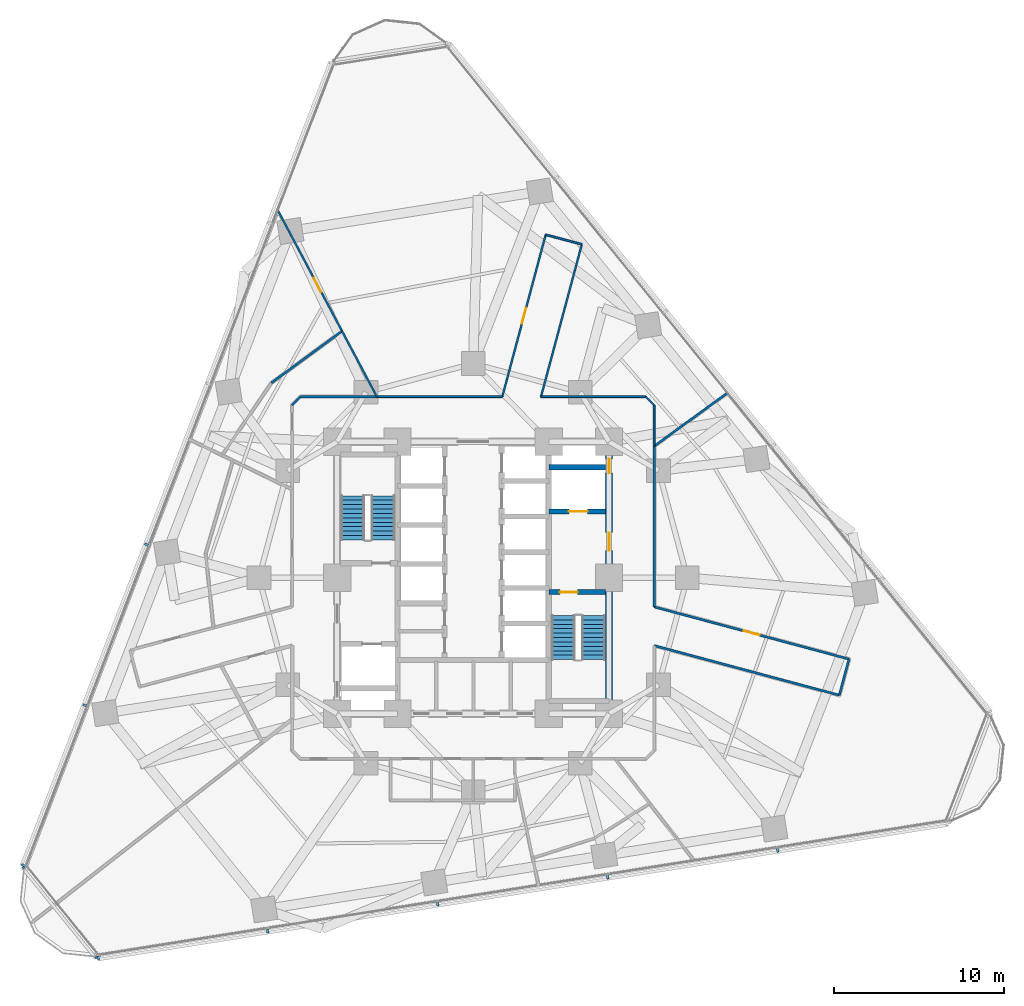
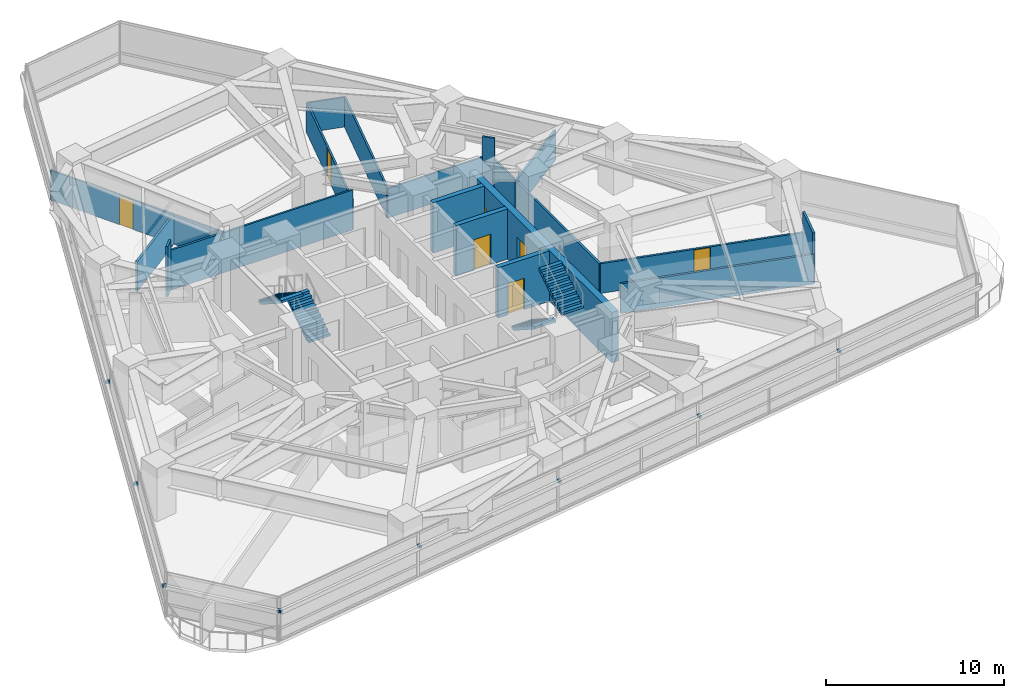
# One storey, part 9 of 13: 21 walls, 10 discrete accessories, 7 doors, 4 stair flights, 7 openings, 2 elements without a shape of their own.
"""IFC4 building model written with IfcOpenShell, lengths in metres."""

from ifc_helpers import new_model, si_unit, direction, frame, frame_2d, origin, origin_2d, place, context, subcontext, project, spatial, polyline, rectangle, outline, extrude, material, layer, layer_set, type_object, element, fill, aggregate, save


model = new_model("IFC4")

# Units and contexts
model_context = context("Model", 3, precision=1e-05, world=origin(), true_north=direction((0.0, 1.0)))
body_context = subcontext(model_context, "Body", "Model", "MODEL_VIEW")
ifc_project = project(units=[si_unit("LENGTHUNIT", "METRE"), si_unit("AREAUNIT", "SQUARE_METRE"), si_unit("VOLUMEUNIT", "CUBIC_METRE"), si_unit("PLANEANGLEUNIT", "RADIAN"), si_unit("MASSUNIT", "GRAM", prefix="KILO")], contexts=[model_context])

# Site, building, storey
site_placement = place(None, origin())
site = spatial("IfcSite", under=ifc_project, at=site_placement, CompositionType="ELEMENT")
building_placement = place(site_placement, origin())
building = spatial("IfcBuilding", under=site, at=building_placement, Name="Terralouvre Media Tower", CompositionType="ELEMENT")
storey_placement = place(building_placement, frame((0.0, 0.0, 81.5)))
storey = spatial("IfcBuildingStorey", under=building, at=storey_placement, Name="L20", CompositionType="ELEMENT", Elevation=81.5)

# Wall, opening, door
ifc_material_1 = material(Name="Concrete C50/60", Category="concrete")
ifc_layer_1 = layer(ifc_material_1, 0.300048828125, Name="Core Internal Shaft Wall CW-300")
ifc_layer_set_1 = layer_set([ifc_layer_1], Name="Concrete C50/60")
wall_type_1 = type_object("IfcWallType", Name="Core Internal Shaft Wall CW-300", PredefinedType="SHEAR", material=ifc_layer_set_1)
wall_1_placement = place(storey_placement, frame((4.449951171875, -0.85009765625, 0.0), z_axis=(0.0, 0.0, 1.0), x_axis=(1.0, 0.0, 0.0)))
wall_1 = element("IfcWall", 1, at=wall_1_placement, inside=storey, type_object=wall_type_1, Name="L20 Core Shaft Wall ST2D", PredefinedType="SHEAR", context=body_context, shape_type="SweptSolid", body=[
    extrude(rectangle(XDim=3.340087890625, YDim=0.300048828125, at=frame_2d((1.669921875, 0.0))), origin(), (0.0, 0.0, 1.0), 3.4599609375),
])
opening_1_placement = place(wall_1_placement, frame((0.64990234375, 0.0, 0.0)))
opening_1 = element("IfcOpeningElement", 2, at=opening_1_placement, cuts=wall_1, Name="Opening FD-01-105X215", PredefinedType="OPENING", context=body_context, shape_type="SweptSolid", body=[
    extrude(rectangle(XDim=1.050048828125, YDim=2.14990234375, at=frame_2d((0.52490234375, 1.074951171875))), frame((0.0, 0.159912109375, 0.0), z_axis=(0.0, -1.0, 0.0), x_axis=(1.0, 0.0, 0.0)), (0.0, 0.0, 1.0), 0.320068359375),
])
ifc_material_2 = material(Name="Galvanised steel fire-resisting leaf", Category="steel")
door_type_1 = type_object("IfcDoorType", Name="Stair and Firefighting Lobby Fire Door FD-01 (1050x2150)", OperationType="NOTDEFINED", PredefinedType="DOOR", material=ifc_material_2)
door_1_placement = place(opening_1_placement, origin())
door_1 = element("IfcDoor", 3, at=door_1_placement, inside=storey, type_object=door_type_1, Name="L20 ST-02 Exit Stair Door", OperationType="SINGLE_SWING_RIGHT", OverallHeight=2.14990234375, OverallWidth=1.050048828125, PredefinedType="DOOR", context=body_context, shape_type="SweptSolid", body=[
    extrude(rectangle(XDim=1.050048828125, YDim=2.14990234375, at=frame_2d((0.52490234375, 1.074951171875))), frame((0.0, 0.02490234375, 0.0), z_axis=(0.0, -1.0, 0.0), x_axis=(1.0, 0.0, 0.0)), (0.0, 0.0, 1.0), 0.050048828125),
])
fill(opening_1, door_1)

wall_2_placement = place(storey_placement, frame((4.449951171875, 3.89990234375, 0.0), z_axis=(0.0, 0.0, 1.0), x_axis=(1.0, 0.0, 0.0)))
wall_2 = element("IfcWall", 4, at=wall_2_placement, inside=storey, type_object=wall_type_1, Name="L20 Core Shaft Wall FF2S", PredefinedType="SHEAR", context=body_context, shape_type="SweptSolid", body=[
    extrude(rectangle(XDim=3.340087890625, YDim=0.300048828125, at=frame_2d((1.669921875, 0.0))), origin(), (0.0, 0.0, 1.0), 3.4599609375),
])
opening_2_placement = place(wall_2_placement, frame((1.179931640625, 0.0, 0.0)))
opening_2 = element("IfcOpeningElement", 5, at=opening_2_placement, cuts=wall_2, Name="Opening LD-FF", PredefinedType="OPENING", context=body_context, shape_type="SweptSolid", body=[
    extrude(rectangle(XDim=1.10009765625, YDim=2.10009765625, at=frame_2d((0.550048828125, 1.050048828125))), frame((0.0, 0.159912109375, 0.0), z_axis=(0.0, -1.0, 0.0), x_axis=(1.0, 0.0, 0.0)), (0.0, 0.0, 1.0), 0.320068359375),
])
ifc_material_3 = material(Name="Stainless steel 316 handrail and balustrade", Category="steel")
door_type_2 = type_object("IfcDoorType", Name="Firefighting Lift Sliding Landing Door LD-FF", OperationType="SLIDING_TO_LEFT", PredefinedType="DOOR", material=ifc_material_3)
door_2_placement = place(opening_2_placement, origin())
door_2 = element("IfcDoor", 6, at=door_2_placement, inside=storey, type_object=door_type_2, Name="L20 Firefighting Lift FFL-02 Landing Door", OperationType="SLIDING_TO_LEFT", OverallHeight=2.10009765625, OverallWidth=1.10009765625, PredefinedType="DOOR", context=body_context, shape_type="SweptSolid", body=[
    extrude(rectangle(XDim=1.10009765625, YDim=2.10009765625, at=frame_2d((0.550048828125, 1.050048828125))), frame((0.0, 0.02490234375, 0.0), z_axis=(0.0, -1.0, 0.0), x_axis=(1.0, 0.0, 0.0)), (0.0, 0.0, 1.0), 0.050048828125),
])
fill(opening_2, door_2)

# Wall
wall_3_placement = place(storey_placement, frame((4.449951171875, 6.5, 0.0), z_axis=(0.0, 0.0, 1.0), x_axis=(1.0, 0.0, 0.0)))
element("IfcWall", 7, at=wall_3_placement, inside=storey, type_object=wall_type_1, Name="L20 Core Shaft Wall FF2N", PredefinedType="SHEAR", context=body_context, shape_type="SweptSolid", body=[
    extrude(rectangle(XDim=3.340087890625, YDim=0.300048828125, at=frame_2d((1.669921875, 0.0))), origin(), (0.0, 0.0, 1.0), 3.4599609375),
])

# Wall, openings, doors
ifc_material_4 = material(Name="Concrete C60/75", Category="concrete")
ifc_layer_2 = layer(ifc_material_4, 0.419921875, Name="Core Reinforced Concrete Shear Wall CW-420")
ifc_layer_set_2 = layer_set([ifc_layer_2], Name="Concrete C60/75")
wall_type_2 = type_object("IfcWallType", Name="Core Reinforced Concrete Shear Wall CW-420", PredefinedType="SHEAR", material=ifc_layer_set_2)
wall_4_placement = place(storey_placement, frame((8.0, -8.0, 0.0), z_axis=(0.0, 0.0, 1.0), x_axis=(0.0, 1.0, 0.0)))
wall_4 = element("IfcWall", 8, at=wall_4_placement, inside=storey, type_object=wall_type_2, Name="L20 E Core Shear Wall", PredefinedType="SHEAR", context=body_context, shape_type="SweptSolid", body=[
    extrude(rectangle(XDim=16.0, YDim=0.419921875, at=frame_2d((8.0, 0.0))), origin(), (0.0, 0.0, 1.0), 3.4599609375),
])
opening_3_placement = place(wall_4_placement, frame((9.60009765625, 0.0, 0.0)))
opening_3 = element("IfcOpeningElement", 9, at=opening_3_placement, cuts=wall_4, Name="Opening FD-01-105X215", PredefinedType="OPENING", context=body_context, shape_type="SweptSolid", body=[
    extrude(rectangle(XDim=1.050048828125, YDim=2.14990234375, at=frame_2d((0.52490234375, 1.074951171875))), frame((0.0, 0.219970703125, 0.0), z_axis=(0.0, -1.0, 0.0), x_axis=(1.0, 0.0, 0.0)), (0.0, 0.0, 1.0), 0.43994140625),
])
opening_4_placement = place(wall_4_placement, frame((14.148193359375, 0.0, 0.0)))
opening_4 = element("IfcOpeningElement", 10, at=opening_4_placement, cuts=wall_4, Name="Opening TD-R1", PredefinedType="OPENING", context=body_context, shape_type="SweptSolid", body=[
    extrude(rectangle(XDim=0.85009765625, YDim=2.02001953125, at=frame_2d((0.425048828125, 1.010009765625))), frame((0.0, 0.219970703125, 0.0), z_axis=(0.0, -1.0, 0.0), x_axis=(1.0, 0.0, 0.0)), (0.0, 0.0, 1.0), 0.43994140625),
])
ifc_material_5 = material(Name="Galvanised steel fire-resisting leaf", Category="steel")
door_type_3 = type_object("IfcDoorType", Name="Riser Inspection Access Trapdoor TD-R1", OperationType="NOTDEFINED", PredefinedType="TRAPDOOR", material=ifc_material_5)
door_3_placement = place(opening_4_placement, origin())
door_3 = element("IfcDoor", 11, at=door_3_placement, inside=storey, type_object=door_type_3, Name="L20 East Comms Riser Access Trapdoor", OperationType="SINGLE_SWING_RIGHT", OverallHeight=2.02001953125, OverallWidth=0.85009765625, PredefinedType="TRAPDOOR", context=body_context, shape_type="SweptSolid", body=[
    extrude(rectangle(XDim=0.85009765625, YDim=2.02001953125, at=frame_2d((0.425048828125, 1.010009765625))), frame((0.0, 0.02490234375, 0.0), z_axis=(0.0, -1.0, 0.0), x_axis=(1.0, 0.0, 0.0)), (0.0, 0.0, 1.0), 0.050048828125),
])
fill(opening_4, door_3)
door_4_placement = place(opening_3_placement, origin())
door_4 = element("IfcDoor", 12, at=door_4_placement, inside=storey, type_object=door_type_1, Name="L20 East Firefighting Lobby Entry Door", OperationType="SINGLE_SWING_LEFT", OverallHeight=2.14990234375, OverallWidth=1.050048828125, PredefinedType="DOOR", context=body_context, shape_type="SweptSolid", body=[
    extrude(rectangle(XDim=1.050048828125, YDim=2.14990234375, at=frame_2d((0.52490234375, 1.074951171875))), frame((0.0, 0.02490234375, 0.0), z_axis=(0.0, -1.0, 0.0), x_axis=(1.0, 0.0, 0.0)), (0.0, 0.0, 1.0), 0.050048828125),
])
fill(opening_3, door_4)

# Walls
ifc_material_6 = material(Name="Fire-rated gypsum board drywall partition")
ifc_layer_3 = layer(ifc_material_6, 0.135009765625, Name="Newsroom Acoustic Partition PT-135")
ifc_layer_set_3 = layer_set([ifc_layer_3], Name="Fire-rated gypsum board drywall partition")
wall_type_3 = type_object("IfcWallType", Name="Newsroom Acoustic Partition PT-135", PredefinedType="PARTITIONING", material=ifc_layer_set_3)
wall_5_placement = place(storey_placement, frame((10.64990234375, -3.991943359375, 0.0), z_axis=(0.0, 0.0, 1.0), x_axis=(0.965906888357, -0.258889712088, 0.0)))
element("IfcWall", 13, at=wall_5_placement, inside=storey, type_object=wall_type_3, Name="L20 Interior Partition 004", PredefinedType="PARTITIONING", context=body_context, shape_type="SweptSolid", body=[
    extrude(rectangle(XDim=11.279541015625, YDim=0.135009765625, at=frame_2d((5.6396484375, 0.0))), origin(), (0.0, 0.0, 1.0), 2.044921875),
])
wall_6_placement = place(storey_placement, frame((21.544921875, -6.912109375, 0.0), z_axis=(0.0, 0.0, 1.0), x_axis=(0.259105843213, 0.965848933329, 0.0)))
element("IfcWall", 14, at=wall_6_placement, inside=storey, type_object=wall_type_3, Name="L20 Interior Partition 005", PredefinedType="PARTITIONING", context=body_context, shape_type="SweptSolid", body=[
    extrude(rectangle(XDim=2.2001953125, YDim=0.135009765625, at=frame_2d((1.10009765625, 0.0))), origin(), (0.0, 0.0, 1.0), 3.4599609375),
])

# Wall, opening, door
wall_7_placement = place(storey_placement, frame((22.114990234375, -4.787109375, 0.0), z_axis=(0.0, 0.0, 1.0), x_axis=(-0.965926659449, 0.258815935688, 0.0)))
wall_7 = element("IfcWall", 15, at=wall_7_placement, inside=storey, type_object=wall_type_3, Name="L20 Interior Partition 006", PredefinedType="PARTITIONING", context=body_context, shape_type="SweptSolid", body=[
    extrude(rectangle(XDim=11.86962890625, YDim=0.135009765625, at=frame_2d((5.934814453125, 0.0))), origin(), (0.0, 0.0, 1.0), 2.044921875),
])
opening_5_placement = place(wall_7_placement, frame((5.459716796875, 0.0, 0.0)))
opening_5 = element("IfcOpeningElement", 16, at=opening_5_placement, cuts=wall_7, Name="Opening ID-02", PredefinedType="OPENING", context=body_context, shape_type="SweptSolid", body=[
    extrude(rectangle(XDim=0.949951171875, YDim=2.0, at=frame_2d((0.47509765625, 1.0))), frame((0.0, 0.077392578125, 0.0), z_axis=(0.0, -1.0, 0.0), x_axis=(1.0, 0.0, 0.0)), (0.0, 0.0, 1.0), 0.155029296875),
])
ifc_material_7 = material(Name="Engineered hardwood acoustic timber leaf", Category="wood")
door_type_4 = type_object("IfcDoorType", Name="Office and Meeting Room Door ID-02", OperationType="NOTDEFINED", PredefinedType="DOOR", material=ifc_material_7)
door_5_placement = place(opening_5_placement, origin())
door_5 = element("IfcDoor", 17, at=door_5_placement, inside=storey, type_object=door_type_4, Name="L20 Foreign Press Reading Study 1 Door", OperationType="SINGLE_SWING_RIGHT", OverallHeight=2.0, OverallWidth=0.949951171875, PredefinedType="DOOR", context=body_context, shape_type="SweptSolid", body=[
    extrude(rectangle(XDim=0.949951171875, YDim=2.0, at=frame_2d((0.47509765625, 1.0))), frame((0.0, 0.02490234375, 0.0), z_axis=(0.0, -1.0, 0.0), x_axis=(1.0, 0.0, 0.0)), (0.0, 0.0, 1.0), 0.050048828125),
])
fill(opening_5, door_5)

# Walls
wall_8_placement = place(storey_placement, frame((10.64990234375, -1.715087890625, 0.0), z_axis=(0.0, 0.0, 1.0), x_axis=(0.0, 1.0, 0.0)))
element("IfcWall", 18, at=wall_8_placement, inside=storey, type_object=wall_type_3, Name="L20 Interior Partition 007", PredefinedType="PARTITIONING", context=body_context, shape_type="SweptSolid", body=[
    extrude(rectangle(XDim=9.453125, YDim=0.135009765625, at=frame_2d((4.7265625, 0.0))), origin(), (0.0, 0.0, 1.0), 2.044921875),
])
wall_9_placement = place(storey_placement, frame((-5.6630859375, 10.64990234375, 0.0), z_axis=(0.0, 0.0, 1.0), x_axis=(-1.0, 0.0, 0.0)))
element("IfcWall", 19, at=wall_9_placement, inside=storey, type_object=wall_type_3, Name="L20 Interior Partition 029", PredefinedType="PARTITIONING", context=body_context, shape_type="SweptSolid", body=[
    extrude(rectangle(XDim=4.48681640625, YDim=0.135009765625, at=frame_2d((2.243408203125, 0.0))), origin(), (0.0, 0.0, 1.0), 2.7451171875),
])
wall_10_placement = place(storey_placement, frame((-10.14990234375, 10.64990234375, 0.0), z_axis=(0.0, 0.0, 1.0), x_axis=(-0.707106781187, -0.707106781187, 0.0)))
element("IfcWall", 20, at=wall_10_placement, inside=storey, type_object=wall_type_3, Name="L20 Interior Partition 030", PredefinedType="PARTITIONING", context=body_context, shape_type="SweptSolid", body=[
    extrude(rectangle(XDim=0.70703125, YDim=0.135009765625, at=frame_2d((0.353515625, 0.0))), origin(), (0.0, 0.0, 1.0), 3.4599609375),
])
wall_11_placement = place(storey_placement, frame((15.00244140625, 10.899658203125, 0.0), z_axis=(0.0, 0.0, 1.0), x_axis=(-0.809077419902, -0.587702074699, 0.0)))
element("IfcWall", 21, at=wall_11_placement, inside=storey, type_object=wall_type_3, Name="L20 Interior Partition 032", PredefinedType="PARTITIONING", context=body_context, shape_type="SweptSolid", body=[
    extrude(rectangle(XDim=5.379638671875, YDim=0.135009765625, at=frame_2d((2.68994140625, 0.0))), origin(), (0.0, 0.0, 1.0), 2.044921875),
])
wall_12_placement = place(storey_placement, frame((-11.868896484375, 11.4619140625, 0.0), z_axis=(0.0, 0.0, 1.0), x_axis=(0.806469774548, 0.5912753189, 0.0)))
element("IfcWall", 22, at=wall_12_placement, inside=storey, type_object=wall_type_3, Name="L20 Interior Partition 058", PredefinedType="PARTITIONING", context=body_context, shape_type="SweptSolid", body=[
    extrude(rectangle(XDim=5.15185546875, YDim=0.135009765625, at=frame_2d((2.575927734375, 0.0))), origin(), (0.0, 0.0, 1.0), 2.044921875),
])
ifc_material_8 = material(Name="Fire-rated gypsum board drywall partition")
ifc_layer_4 = layer(ifc_material_8, 0.114990234375, Name="Restroom and Pantry Partition PT-115")
ifc_layer_set_4 = layer_set([ifc_layer_4], Name="Fire-rated gypsum board drywall partition")
wall_type_4 = type_object("IfcWallType", Name="Restroom and Pantry Partition PT-115", PredefinedType="PARTITIONING", material=ifc_layer_set_4)
wall_13_placement = place(storey_placement, frame((10.64990234375, 7.738037109375, 0.0), z_axis=(0.0, 0.0, 1.0), x_axis=(0.0, 1.0, 0.0)))
element("IfcWall", 23, at=wall_13_placement, inside=storey, type_object=wall_type_4, Name="L20 Interior Partition 008", PredefinedType="PARTITIONING", context=body_context, shape_type="SweptSolid", body=[
    extrude(rectangle(XDim=2.411865234375, YDim=0.114990234375, at=frame_2d((1.2060546875, 0.0))), origin(), (0.0, 0.0, 1.0), 2.044921875),
])
wall_14_placement = place(storey_placement, frame((10.64990234375, 10.14990234375, 0.0), z_axis=(0.0, 0.0, 1.0), x_axis=(-0.707106781187, 0.707106781187, 0.0)))
element("IfcWall", 24, at=wall_14_placement, inside=storey, type_object=wall_type_4, Name="L20 Interior Partition 009", PredefinedType="PARTITIONING", context=body_context, shape_type="SweptSolid", body=[
    extrude(rectangle(XDim=0.70703125, YDim=0.114990234375, at=frame_2d((0.353515625, 0.0))), origin(), (0.0, 0.0, 1.0), 3.4599609375),
])
wall_15_placement = place(storey_placement, frame((10.14990234375, 10.64990234375, 0.0), z_axis=(0.0, 0.0, 1.0), x_axis=(-1.0, 0.0, 0.0)))
element("IfcWall", 25, at=wall_15_placement, inside=storey, type_object=wall_type_4, Name="L20 Interior Partition 010", PredefinedType="PARTITIONING", context=body_context, shape_type="SweptSolid", body=[
    extrude(rectangle(XDim=6.157958984375, YDim=0.114990234375, at=frame_2d((3.0791015625, 0.0))), origin(), (0.0, 0.0, 1.0), 2.044921875),
])
wall_16_placement = place(storey_placement, frame((3.991943359375, 10.64990234375, 0.0), z_axis=(0.0, 0.0, 1.0), x_axis=(0.258862771148, 0.96591410887, 0.0)))
element("IfcWall", 26, at=wall_16_placement, inside=storey, type_object=wall_type_4, Name="L20 Interior Partition 011", PredefinedType="PARTITIONING", context=body_context, shape_type="SweptSolid", body=[
    extrude(rectangle(XDim=9.279541015625, YDim=0.114990234375, at=frame_2d((4.6396484375, 0.0))), origin(), (0.0, 0.0, 1.0), 2.044921875),
])
wall_17_placement = place(storey_placement, frame((6.39404296875, 19.613037109375, 0.0), z_axis=(0.0, 0.0, 1.0), x_axis=(-0.965848933329, 0.259105843213, 0.0)))
element("IfcWall", 27, at=wall_17_placement, inside=storey, type_object=wall_type_4, Name="L20 Interior Partition 012", PredefinedType="PARTITIONING", context=body_context, shape_type="SweptSolid", body=[
    extrude(rectangle(XDim=2.2001953125, YDim=0.114990234375, at=frame_2d((1.10009765625, 0.0))), origin(), (0.0, 0.0, 1.0), 2.044921875),
])

# Wall, opening, door
wall_18_placement = place(storey_placement, frame((4.26904296875, 20.18310546875, 0.0), z_axis=(0.0, 0.0, 1.0), x_axis=(-0.258775652721, -0.965937452198, 0.0)))
wall_18 = element("IfcWall", 28, at=wall_18_placement, inside=storey, type_object=wall_type_4, Name="L20 Interior Partition 013", PredefinedType="PARTITIONING", context=body_context, shape_type="SweptSolid", body=[
    extrude(rectangle(XDim=9.869384765625, YDim=0.114990234375, at=frame_2d((4.9345703125, 0.0))), origin(), (0.0, 0.0, 1.0), 2.044921875),
])
opening_6_placement = place(wall_18_placement, frame((4.459716796875, 0.0, 0.0)))
opening_6 = element("IfcOpeningElement", 29, at=opening_6_placement, cuts=wall_18, Name="Opening SD-01", PredefinedType="OPENING", context=body_context, shape_type="SweptSolid", body=[
    extrude(rectangle(XDim=0.949951171875, YDim=2.0, at=frame_2d((0.47509765625, 1.0))), frame((0.0, 0.0673828125, 0.0), z_axis=(0.0, -1.0, 0.0), x_axis=(1.0, 0.0, 0.0)), (0.0, 0.0, 1.0), 0.135009765625),
])
ifc_material_9 = material(Name="Anodised extruded aluminium 6063-T6", Category="aluminium")
door_type_5 = type_object("IfcDoorType", Name="Pantry Pocket Sliding Door SD-01", OperationType="SLIDING_TO_LEFT", PredefinedType="DOOR", material=ifc_material_9)
door_6_placement = place(opening_6_placement, origin())
door_6 = element("IfcDoor", 30, at=door_6_placement, inside=storey, type_object=door_type_5, Name="L20 International Tea Servery 2 Door", OperationType="SLIDING_TO_LEFT", OverallHeight=2.0, OverallWidth=0.949951171875, PredefinedType="DOOR", context=body_context, shape_type="SweptSolid", body=[
    extrude(rectangle(XDim=0.949951171875, YDim=2.0, at=frame_2d((0.47509765625, 1.0))), frame((0.0, 0.02490234375, 0.0), z_axis=(0.0, -1.0, 0.0), x_axis=(1.0, 0.0, 0.0)), (0.0, 0.0, 1.0), 0.050048828125),
])
fill(opening_6, door_6)

# Wall
wall_19_placement = place(storey_placement, frame((1.715087890625, 10.64990234375, 0.0), z_axis=(0.0, 0.0, 1.0), x_axis=(-1.0, 0.0, 0.0)))
element("IfcWall", 31, at=wall_19_placement, inside=storey, type_object=wall_type_4, Name="L20 Interior Partition 014", PredefinedType="PARTITIONING", context=body_context, shape_type="SweptSolid", body=[
    extrude(rectangle(XDim=7.378173828125, YDim=0.114990234375, at=frame_2d((3.68896484375, 0.0))), origin(), (0.0, 0.0, 1.0), 2.7451171875),
])

# Wall, opening, door
wall_20_placement = place(storey_placement, frame((-11.519775390625, 21.66455078125, 0.0), z_axis=(0.0, 0.0, 1.0), x_axis=(0.469518559383, -0.88292260272, 0.0)))
wall_20 = element("IfcWall", 32, at=wall_20_placement, inside=storey, type_object=wall_type_4, Name="L20 Interior Partition 035", PredefinedType="PARTITIONING", context=body_context, shape_type="SweptSolid", body=[
    extrude(rectangle(XDim=8.10546875, YDim=0.114990234375, at=frame_2d((4.052734375, 0.0))), origin(), (0.0, 0.0, 1.0), 2.044921875),
])
opening_7_placement = place(wall_20_placement, frame((4.5654296875, 0.0, 0.0)))
opening_7 = element("IfcOpeningElement", 33, at=opening_7_placement, cuts=wall_20, Name="Opening ID-03", PredefinedType="OPENING", context=body_context, shape_type="SweptSolid", body=[
    extrude(rectangle(XDim=0.919921875, YDim=2.0, at=frame_2d((0.4599609375, 1.0))), frame((0.0, 0.0673828125, 0.0), z_axis=(0.0, -1.0, 0.0), x_axis=(1.0, 0.0, 0.0)), (0.0, 0.0, 1.0), 0.135009765625),
])
ifc_material_10 = material(Name="Engineered hardwood acoustic timber leaf", Category="wood")
door_type_6 = type_object("IfcDoorType", Name="Accessible Restroom and Suite Door ID-03", OperationType="NOTDEFINED", PredefinedType="DOOR", material=ifc_material_10)
door_7_placement = place(opening_7_placement, origin())
door_7 = element("IfcDoor", 34, at=door_7_placement, inside=storey, type_object=door_type_6, Name="L20 Overnight Crew Room 9 Door", OperationType="SINGLE_SWING_RIGHT", OverallHeight=2.0, OverallWidth=0.919921875, PredefinedType="DOOR", context=body_context, shape_type="SweptSolid", body=[
    extrude(rectangle(XDim=0.919921875, YDim=2.0, at=frame_2d((0.4599609375, 1.0))), frame((0.0, 0.02490234375, 0.0), z_axis=(0.0, -1.0, 0.0), x_axis=(1.0, 0.0, 0.0)), (0.0, 0.0, 1.0), 0.050048828125),
])
fill(opening_7, door_7)

# Wall
wall_21_placement = place(storey_placement, frame((-7.714111328125, 14.508056640625, 0.0), z_axis=(0.0, 0.0, 1.0), x_axis=(0.469401685306, -0.882984743827, 0.0)))
element("IfcWall", 35, at=wall_21_placement, inside=storey, type_object=wall_type_4, Name="L20 Interior Partition 036", PredefinedType="PARTITIONING", context=body_context, shape_type="SweptSolid", body=[
    extrude(rectangle(XDim=4.369384765625, YDim=0.114990234375, at=frame_2d((2.1845703125, 0.0))), origin(), (0.0, 0.0, 1.0), 2.044921875),
])

# Stair, stair flights
ifc_material_11 = material(Name="Concrete C45/55", Category="concrete")
stair_type_1 = type_object("IfcStairType", Name="Dogleg Stair Assembly ST-01", PredefinedType="HALF_TURN_STAIR", material=ifc_material_11)
stair_1_placement = place(storey_placement, origin())
stair_1 = element("IfcStair", 36, at=stair_1_placement, inside=storey, type_object=stair_type_1, Name="L20 Core Pressurised Exit Stair ST-01", PredefinedType="HALF_TURN_STAIR")
ifc_material_12 = material(Name="Concrete C45/55", Category="concrete")
stair_flight_type = type_object("IfcStairFlightType", Name="Reinforced Concrete Stair Flight SF-RC1", PredefinedType="STRAIGHT", material=ifc_material_12)
stair_flight_1_placement = place(storey_placement, frame((-5.300048828125, 2.219970703125, 0.0), z_axis=(0.0, 0.0, 1.0), x_axis=(0.0, 1.0, 0.0)))
stair_flight_1 = element("IfcStairFlight", 37, at=stair_flight_1_placement, type_object=stair_flight_type, Name="ST-01 flight 1", NumberOfRisers=11, NumberOfTreads=10, PredefinedType="STRAIGHT", RiserHeight=0.168181818, TreadLength=0.26, context=body_context, shape_type="SweptSolid", body=[
    extrude(outline(polyline([(0.0, 0.0), (0.0, 0.168212890625), (0.260009765625, 0.168212890625), (0.260009765625, 0.33642578125), (0.52001953125, 0.33642578125), (0.52001953125, 0.504638671875), (0.780029296875, 0.504638671875), (0.780029296875, 0.672607421875), (1.0400390625, 0.672607421875), (1.0400390625, 0.8408203125), (1.300048828125, 0.8408203125), (1.300048828125, 1.009033203125), (1.56005859375, 1.009033203125), (1.56005859375, 1.17724609375), (1.820068359375, 1.17724609375), (1.820068359375, 1.345458984375), (2.080078125, 1.345458984375), (2.080078125, 1.513671875), (2.340087890625, 1.513671875), (2.340087890625, 1.681884765625), (2.60009765625, 1.681884765625), (2.60009765625, 1.85009765625), (2.60009765625, 1.503173828125), (0.27587890625, 0.0), (0.0, 0.0)])), frame((0.0, 0.699951171875, 0.0), z_axis=(0.0, -1.0, 0.0), x_axis=(1.0, 0.0, 0.0)), (0.0, 0.0, 1.0), 1.39990234375),
])
stair_flight_2_placement = place(storey_placement, frame((-7.080078125, 4.820068359375, 1.85009765625), z_axis=(0.0, 0.0, 1.0), x_axis=(0.0, -1.0, 0.0)))
stair_flight_2 = element("IfcStairFlight", 38, at=stair_flight_2_placement, type_object=stair_flight_type, Name="ST-01 flight 2", NumberOfRisers=11, NumberOfTreads=10, PredefinedType="STRAIGHT", RiserHeight=0.168181818, TreadLength=0.26, context=body_context, shape_type="SweptSolid", body=[
    extrude(outline(polyline([(0.0, 0.0), (0.0, 0.168212890625), (0.260009765625, 0.168212890625), (0.260009765625, 0.33642578125), (0.52001953125, 0.33642578125), (0.52001953125, 0.504638671875), (0.780029296875, 0.504638671875), (0.780029296875, 0.672607421875), (1.0400390625, 0.672607421875), (1.0400390625, 0.8408203125), (1.300048828125, 0.8408203125), (1.300048828125, 1.009033203125), (1.56005859375, 1.009033203125), (1.56005859375, 1.17724609375), (1.820068359375, 1.17724609375), (1.820068359375, 1.345458984375), (2.080078125, 1.345458984375), (2.080078125, 1.513671875), (2.340087890625, 1.513671875), (2.340087890625, 1.681884765625), (2.60009765625, 1.681884765625), (2.60009765625, 1.85009765625), (2.60009765625, 1.503173828125), (0.27587890625, 0.0), (0.0, 0.0)])), frame((0.0, 0.699951171875, 0.0), z_axis=(0.0, -1.0, 0.0), x_axis=(1.0, 0.0, 0.0)), (0.0, 0.0, 1.0), 1.39990234375),
])
aggregate(stair_1, [stair_flight_1, stair_flight_2])

ifc_material_13 = material(Name="Concrete C45/55", Category="concrete")
stair_type_2 = type_object("IfcStairType", Name="Dogleg Stair Assembly ST-02", PredefinedType="HALF_TURN_STAIR", material=ifc_material_13)
stair_2_placement = place(storey_placement, origin())
stair_2 = element("IfcStair", 39, at=stair_2_placement, inside=storey, type_object=stair_type_2, Name="L20 Core Pressurised Exit Stair ST-02", PredefinedType="HALF_TURN_STAIR")
stair_flight_3_placement = place(storey_placement, frame((5.300048828125, -2.219970703125, 0.0), z_axis=(0.0, 0.0, 1.0), x_axis=(0.0, -1.0, 0.0)))
stair_flight_3 = element("IfcStairFlight", 40, at=stair_flight_3_placement, type_object=stair_flight_type, Name="ST-02 flight 1", NumberOfRisers=11, NumberOfTreads=10, PredefinedType="STRAIGHT", RiserHeight=0.168181818, TreadLength=0.26, context=body_context, shape_type="SweptSolid", body=[
    extrude(outline(polyline([(0.0, 0.0), (0.0, 0.168212890625), (0.260009765625, 0.168212890625), (0.260009765625, 0.33642578125), (0.52001953125, 0.33642578125), (0.52001953125, 0.504638671875), (0.780029296875, 0.504638671875), (0.780029296875, 0.672607421875), (1.0400390625, 0.672607421875), (1.0400390625, 0.8408203125), (1.300048828125, 0.8408203125), (1.300048828125, 1.009033203125), (1.56005859375, 1.009033203125), (1.56005859375, 1.17724609375), (1.820068359375, 1.17724609375), (1.820068359375, 1.345458984375), (2.080078125, 1.345458984375), (2.080078125, 1.513671875), (2.340087890625, 1.513671875), (2.340087890625, 1.681884765625), (2.60009765625, 1.681884765625), (2.60009765625, 1.85009765625), (2.60009765625, 1.503173828125), (0.27587890625, 0.0), (0.0, 0.0)])), frame((0.0, 0.699951171875, 0.0), z_axis=(0.0, -1.0, 0.0), x_axis=(1.0, 0.0, 0.0)), (0.0, 0.0, 1.0), 1.39990234375),
])
stair_flight_4_placement = place(storey_placement, frame((7.080078125, -4.820068359375, 1.85009765625), z_axis=(0.0, 0.0, 1.0), x_axis=(0.0, 1.0, 0.0)))
stair_flight_4 = element("IfcStairFlight", 41, at=stair_flight_4_placement, type_object=stair_flight_type, Name="ST-02 flight 2", NumberOfRisers=11, NumberOfTreads=10, PredefinedType="STRAIGHT", RiserHeight=0.168181818, TreadLength=0.26, context=body_context, shape_type="SweptSolid", body=[
    extrude(outline(polyline([(0.0, 0.0), (0.0, 0.168212890625), (0.260009765625, 0.168212890625), (0.260009765625, 0.33642578125), (0.52001953125, 0.33642578125), (0.52001953125, 0.504638671875), (0.780029296875, 0.504638671875), (0.780029296875, 0.672607421875), (1.0400390625, 0.672607421875), (1.0400390625, 0.8408203125), (1.300048828125, 0.8408203125), (1.300048828125, 1.009033203125), (1.56005859375, 1.009033203125), (1.56005859375, 1.17724609375), (1.820068359375, 1.17724609375), (1.820068359375, 1.345458984375), (2.080078125, 1.345458984375), (2.080078125, 1.513671875), (2.340087890625, 1.513671875), (2.340087890625, 1.681884765625), (2.60009765625, 1.681884765625), (2.60009765625, 1.85009765625), (2.60009765625, 1.503173828125), (0.27587890625, 0.0), (0.0, 0.0)])), frame((0.0, 0.699951171875, 0.0), z_axis=(0.0, -1.0, 0.0), x_axis=(1.0, 0.0, 0.0)), (0.0, 0.0, 1.0), 1.39990234375),
])
aggregate(stair_2, [stair_flight_3, stair_flight_4])

# Discrete accessories
ifc_material_14 = material(Name="Anodised extruded aluminium 6063-T6", Category="aluminium")
discrete_accessory_type = type_object("IfcDiscreteAccessoryType", Name="Mullion Stand-Off Baguette Fixing Bracket BK-01", PredefinedType="BRACKET", material=ifc_material_14)
for number, where, z_axis, x_axis, name in (
    (42, (-22.055419921875, -22.364013671875, 2.04931640625), (0.0, 0.0, 1.0), (0.987688340934, 0.156434462903, 0.0), "CW-L20-F0 Baguette Outrigger Bracket 1.01"),
    (43, (-12.08935546875, -20.78564453125, 2.04931640625), (0.0, 0.0, 1.0), (0.987688340934, 0.156434462903, 0.0), "CW-L20-F0 Baguette Outrigger Bracket 1.02"),
    (44, (-2.0859375, -19.201171875, 2.04931640625), (0.0, 0.0, 1.0), (0.987688340934, 0.156434462903, 0.0), "CW-L20-F0 Baguette Outrigger Bracket 1.03"),
    (45, (7.91748046875, -17.616943359375, 2.04931640625), (0.0, 0.0, 1.0), (0.987688340934, 0.156434462903, 0.0), "CW-L20-F0 Baguette Outrigger Bracket 1.04"),
    (46, (17.920654296875, -16.032470703125, 2.04931640625), (0.0, 0.0, 1.0), (0.987688340934, 0.156434462903, 0.0), "CW-L20-F0 Baguette Outrigger Bracket 1.05"),
    (47, (-19.21533203125, 1.951904296875, 2.04931640625), (0.0, 0.0, 1.0), (-0.358367917006, -0.933580438988, 0.0), "CW-L20-F2 Baguette Outrigger Bracket 1.04"),
    (48, (-22.844970703125, -7.50341796875, 2.04931640625), (0.0, 0.0, 1.0), (-0.358367917006, -0.933580438988, 0.0), "CW-L20-F2 Baguette Outrigger Bracket 1.05"),
    (49, (-26.4609375, -16.923828125, 2.04931640625), (0.0, 0.0, 1.0), (-0.358367917006, -0.933580438988, 0.0), "CW-L20-F2 Baguette Outrigger Bracket 1.06"),
    (50, (-26.428955078125, -17.014892578125, 2.04931640625), (0.0, 0.0, 1.0), (0.629320031936, -0.777146252262, 0.0), "CW-L20-C0 Baguette Outrigger Bracket 1.01"),
    (51, (-22.137939453125, -22.31396484375, 2.04931640625), (0.0, 0.0, 1.0), (0.629320031936, -0.777146252262, 0.0), "CW-L20-C0 Baguette Outrigger Bracket 1.02"),
):
    element("IfcDiscreteAccessory", number, at=place(storey_placement, frame(where, z_axis=z_axis, x_axis=x_axis)), inside=storey, type_object=discrete_accessory_type, Name=name, PredefinedType="BRACKET", context=body_context, shape_type="SweptSolid", body=[
        extrude(rectangle(XDim=0.139892578125, YDim=0.239990234375, at=origin_2d()), origin(), (0.0, 0.0, 1.0), 0.179931640625),
    ])

save(model, "model.ifc")
